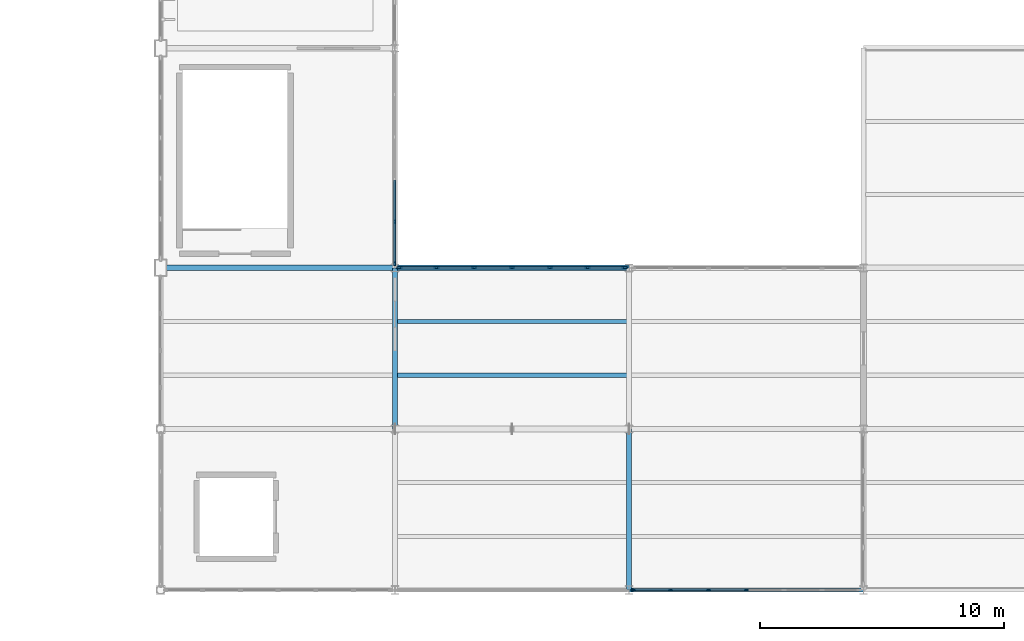
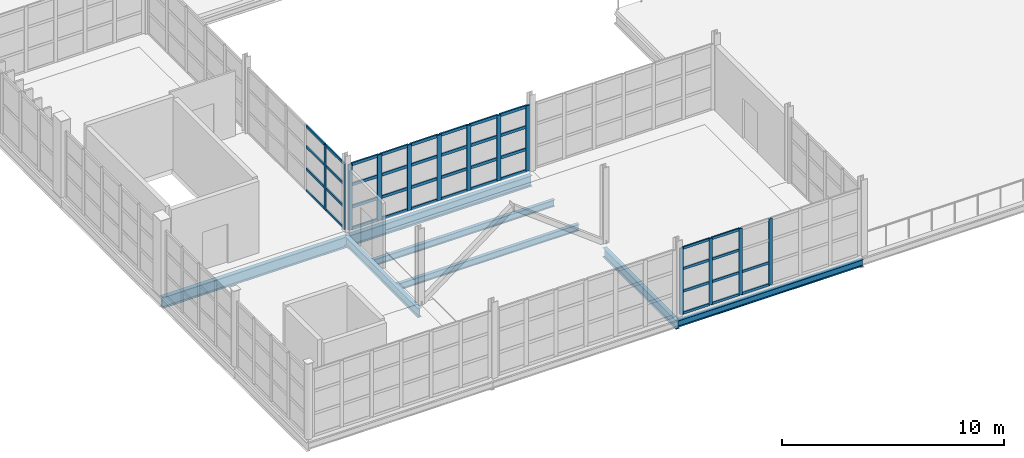
# One storey, part 43 of 82: 55 members, 7 beams, 3 elements without a shape of their own.
"""IFC4 building model written with IfcOpenShell, lengths in metres."""

from ifc_helpers import new_model, si_unit, direction, frame, origin, origin_2d, place, context, subcontext, project, spatial, rectangle, i_section, extrude, material, layer, layer_set, material_profile, profile_set, type_object, element, aggregate, save


model = new_model("IFC4")

# Units and contexts
model_context = context("Model", 3, precision=1e-05, world=origin(), true_north=direction((0.0, 1.0)))
body_context = subcontext(model_context, "Body", "Model", "MODEL_VIEW")
ifc_project = project(units=[si_unit("LENGTHUNIT", "METRE"), si_unit("AREAUNIT", "SQUARE_METRE"), si_unit("VOLUMEUNIT", "CUBIC_METRE"), si_unit("PLANEANGLEUNIT", "RADIAN"), si_unit("MASSUNIT", "GRAM", prefix="KILO")], contexts=[model_context])

# Site, building, storey
site_placement = place(None, origin())
site = spatial("IfcSite", under=ifc_project, at=site_placement, CompositionType="ELEMENT")
building_placement = place(site_placement, origin())
building = spatial("IfcBuilding", under=site, at=building_placement, Name="Zarnetskaya Central Station", CompositionType="ELEMENT")
storey_placement = place(building_placement, frame((0.0, 0.0, 10.199951171875)))
storey = spatial("IfcBuildingStorey", under=building, at=storey_placement, Name="L02", CompositionType="ELEMENT", Elevation=10.199951171875)

# Beams
ifc_material_1 = material(Name="Steel S355", Category="steel")
ifc_material_profile_1 = material_profile(ifc_material_1, i_section(OverallWidth=0.169921875, OverallDepth=0.360107421875, WebThickness=0.008056640625, FlangeThickness=0.0126953125, FilletRadius=0.01806640625, at=origin_2d()), Name="IPE 360")
ifc_profile_set_1 = profile_set([ifc_material_profile_1], Name="Steel S355")
beam_type_1 = type_object("IfcBeamType", Name="BM-SEC-360", PredefinedType="BEAM", material=ifc_profile_set_1)
for number, where, z_axis, x_axis, name in (
    (1, (134.47998046875, 8.800048828125, -0.43994140625), (1.0, 0.0, 0.0), (0.0, 1.0, 0.0), "Secondary floor beam SEC-L02-Z994-QR-23-1"),
    (2, (134.47998046875, 11.0, -0.43994140625), (1.0, 0.0, 0.0), (0.0, 1.0, 0.0), "Secondary floor beam SEC-L02-Z994-QR-23-2"),
):
    element("IfcBeam", number, at=place(storey_placement, frame(where, z_axis=z_axis, x_axis=x_axis)), inside=storey, type_object=beam_type_1, Name=name, PredefinedType="BEAM", context=body_context, shape_type="SweptSolid", body=[
        extrude(i_section(OverallWidth=0.169921875, OverallDepth=0.360107421875, WebThickness=0.008056640625, FlangeThickness=0.0126953125, FilletRadius=0.01806640625, at=origin_2d()), origin(), (0.0, 0.0, 1.0), 9.43994140625),
    ])
ifc_material_profile_2 = material_profile(ifc_material_1, i_section(OverallWidth=0.169921875, OverallDepth=0.360107421875, WebThickness=0.008056640625, FlangeThickness=0.0126953125, FilletRadius=0.01806640625, at=origin_2d()), Name="IPE 360")
ifc_profile_set_2 = profile_set([ifc_material_profile_2], Name="Steel S355")
beam_type_2 = type_object("IfcBeamType", Name="BM-SPN-V4", PredefinedType="SPANDREL", material=ifc_profile_set_2)
beam_1_placement = place(storey_placement, frame((144.0, 0.0, -0.43994140625), z_axis=(1.0, 0.0, 0.0), x_axis=(0.0, 1.0, 0.0)))
element("IfcBeam", 3, at=beam_1_placement, inside=storey, type_object=beam_type_2, Name="Grid girder GX-L02-1-RS", PredefinedType="SPANDREL", context=body_context, shape_type="SweptSolid", body=[
    extrude(i_section(OverallWidth=0.169921875, OverallDepth=0.360107421875, WebThickness=0.008056640625, FlangeThickness=0.0126953125, FilletRadius=0.01806640625, at=origin_2d()), origin(), (0.0, 0.0, 1.0), 9.60009765625),
])

# Curtain wall, members
ifc_material_2 = material(Name="Low-E insulated glass", Category="glass")
ifc_layer = layer(ifc_material_2, 0.1640625, Name="Low-E insulated glass", Category="glass")
ifc_layer_set = layer_set([ifc_layer], Name="Low-E insulated glass")
curtain_wall_type = type_object("IfcCurtainWallType", Name="CW-SYS-07", PredefinedType="USERDEFINED", material=ifc_layer_set)
curtain_wall_1_placement = place(storey_placement, origin())
curtain_wall_1 = element("IfcCurtainWall", 4, at=curtain_wall_1_placement, inside=storey, type_object=curtain_wall_type, Name="Curtain wall CW-L02-139", ObjectType="CURTAIN WALL", PredefinedType="USERDEFINED")
ifc_material_3 = material(Name="Anodised aluminium", Category="aluminium")
ifc_material_profile_3 = material_profile(ifc_material_3, rectangle(XDim=0.070068359375, YDim=0.179931640625, at=origin_2d()), Name="ALU MULL 70x180")
ifc_profile_set_3 = profile_set([ifc_material_profile_3], Name="Anodised aluminium")
member_type_1 = type_object("IfcMemberType", Name="CW-MULL-180", PredefinedType="MULLION", material=ifc_profile_set_3)
member_1_placement = place(storey_placement, frame((134.39990234375, 15.090087890625, 0.0), z_axis=(0.0, 0.0, 1.0), x_axis=(1.0, 0.0, 0.0)))
member_1 = element("IfcMember", 5, at=member_1_placement, type_object=member_type_1, Name="CW-06 mullion 5", PredefinedType="MULLION", context=body_context, shape_type="SweptSolid", body=[
    extrude(rectangle(XDim=0.070068359375, YDim=0.179931640625, at=origin_2d()), origin(), (0.0, 0.0, 1.0), 3.60009765625),
])
member_2_placement = place(storey_placement, frame((134.39990234375, 13.385009765625, 0.0), z_axis=(0.0, 0.0, 1.0), x_axis=(1.0, 0.0, 0.0)))
member_2 = element("IfcMember", 6, at=member_2_placement, type_object=member_type_1, Name="CW-06 mullion 6", PredefinedType="MULLION", context=body_context, shape_type="SweptSolid", body=[
    extrude(rectangle(XDim=0.070068359375, YDim=0.179931640625, at=origin_2d()), origin(), (0.0, 0.0, 1.0), 3.60009765625),
])

curtain_wall_2_placement = place(storey_placement, origin())
curtain_wall_2 = element("IfcCurtainWall", 7, at=curtain_wall_2_placement, inside=storey, type_object=curtain_wall_type, Name="Curtain wall CW-L02-143", ObjectType="CURTAIN WALL", PredefinedType="USERDEFINED")
member_3_placement = place(storey_placement, frame((148.800048828125, 0.0, 0.0), z_axis=(0.0, 0.0, 1.0), x_axis=(0.0, -1.0, 0.0)))
member_3 = element("IfcMember", 8, at=member_3_placement, type_object=member_type_1, Name="CW-06 mullion 4", PredefinedType="MULLION", context=body_context, shape_type="SweptSolid", body=[
    extrude(rectangle(XDim=0.070068359375, YDim=0.179931640625, at=origin_2d()), origin(), (0.0, 0.0, 1.0), 3.64013671875),
])
member_4_placement = place(storey_placement, frame((147.25, 0.0, 0.0), z_axis=(0.0, 0.0, 1.0), x_axis=(0.0, -1.0, 0.0)))
member_4 = element("IfcMember", 9, at=member_4_placement, type_object=member_type_1, Name="CW-06 mullion 5", PredefinedType="MULLION", context=body_context, shape_type="SweptSolid", body=[
    extrude(rectangle(XDim=0.070068359375, YDim=0.179931640625, at=origin_2d()), origin(), (0.0, 0.0, 1.0), 3.64013671875),
])
member_5_placement = place(storey_placement, frame((145.699951171875, 0.0, 0.0), z_axis=(0.0, 0.0, 1.0), x_axis=(0.0, -1.0, 0.0)))
member_5 = element("IfcMember", 10, at=member_5_placement, type_object=member_type_1, Name="CW-06 mullion 6", PredefinedType="MULLION", context=body_context, shape_type="SweptSolid", body=[
    extrude(rectangle(XDim=0.070068359375, YDim=0.179931640625, at=origin_2d()), origin(), (0.0, 0.0, 1.0), 3.64013671875),
])
member_6_placement = place(storey_placement, frame((144.18505859375, 0.0, 0.0), z_axis=(0.0, 0.0, 1.0), x_axis=(0.0, -1.0, 0.0)))
member_6 = element("IfcMember", 11, at=member_6_placement, type_object=member_type_1, Name="CW-06 mullion 7", PredefinedType="MULLION", context=body_context, shape_type="SweptSolid", body=[
    extrude(rectangle(XDim=0.070068359375, YDim=0.179931640625, at=origin_2d()), origin(), (0.0, 0.0, 1.0), 3.64013671875),
])

curtain_wall_3_placement = place(storey_placement, origin())
curtain_wall_3 = element("IfcCurtainWall", 12, at=curtain_wall_3_placement, inside=storey, type_object=curtain_wall_type, Name="Curtain wall CW-L02-140", ObjectType="CURTAIN WALL", PredefinedType="USERDEFINED")
ifc_material_profile_4 = material_profile(ifc_material_3, rectangle(XDim=0.080078125, YDim=0.219970703125, at=origin_2d()), Name="ALU MULL 80x220")
ifc_profile_set_4 = profile_set([ifc_material_profile_4], Name="Anodised aluminium")
member_type_2 = type_object("IfcMemberType", Name="CW-MULL-220", PredefinedType="MULLION", material=ifc_profile_set_4)
member_7_placement = place(storey_placement, frame((134.590087890625, 13.199951171875, 0.0), z_axis=(0.0, 0.0, 1.0), x_axis=(0.0, 1.0, 0.0)))
member_7 = element("IfcMember", 13, at=member_7_placement, type_object=member_type_2, Name="CW-06 mullion 1", PredefinedType="MULLION", context=body_context, shape_type="SweptSolid", body=[
    extrude(rectangle(XDim=0.080078125, YDim=0.219970703125, at=origin_2d()), origin(), (0.0, 0.0, 1.0), 3.60009765625),
])
member_8_placement = place(storey_placement, frame((136.10009765625, 13.199951171875, 0.0), z_axis=(0.0, 0.0, 1.0), x_axis=(0.0, 1.0, 0.0)))
member_8 = element("IfcMember", 14, at=member_8_placement, type_object=member_type_2, Name="CW-06 mullion 2", PredefinedType="MULLION", context=body_context, shape_type="SweptSolid", body=[
    extrude(rectangle(XDim=0.080078125, YDim=0.219970703125, at=origin_2d()), origin(), (0.0, 0.0, 1.0), 3.60009765625),
])
member_9_placement = place(storey_placement, frame((137.64990234375, 13.199951171875, 0.0), z_axis=(0.0, 0.0, 1.0), x_axis=(0.0, 1.0, 0.0)))
member_9 = element("IfcMember", 15, at=member_9_placement, type_object=member_type_2, Name="CW-06 mullion 3", PredefinedType="MULLION", context=body_context, shape_type="SweptSolid", body=[
    extrude(rectangle(XDim=0.080078125, YDim=0.219970703125, at=origin_2d()), origin(), (0.0, 0.0, 1.0), 3.60009765625),
])
member_10_placement = place(storey_placement, frame((139.199951171875, 13.199951171875, 0.0), z_axis=(0.0, 0.0, 1.0), x_axis=(0.0, 1.0, 0.0)))
member_10 = element("IfcMember", 16, at=member_10_placement, type_object=member_type_2, Name="CW-06 mullion 4", PredefinedType="MULLION", context=body_context, shape_type="SweptSolid", body=[
    extrude(rectangle(XDim=0.080078125, YDim=0.219970703125, at=origin_2d()), origin(), (0.0, 0.0, 1.0), 3.60009765625),
])
member_11_placement = place(storey_placement, frame((140.75, 13.199951171875, 0.0), z_axis=(0.0, 0.0, 1.0), x_axis=(0.0, 1.0, 0.0)))
member_11 = element("IfcMember", 17, at=member_11_placement, type_object=member_type_2, Name="CW-06 mullion 5", PredefinedType="MULLION", context=body_context, shape_type="SweptSolid", body=[
    extrude(rectangle(XDim=0.080078125, YDim=0.219970703125, at=origin_2d()), origin(), (0.0, 0.0, 1.0), 3.60009765625),
])
member_12_placement = place(storey_placement, frame((142.300048828125, 13.199951171875, 0.0), z_axis=(0.0, 0.0, 1.0), x_axis=(0.0, 1.0, 0.0)))
member_12 = element("IfcMember", 18, at=member_12_placement, type_object=member_type_2, Name="CW-06 mullion 6", PredefinedType="MULLION", context=body_context, shape_type="SweptSolid", body=[
    extrude(rectangle(XDim=0.080078125, YDim=0.219970703125, at=origin_2d()), origin(), (0.0, 0.0, 1.0), 3.60009765625),
])
member_13_placement = place(storey_placement, frame((143.81005859375, 13.199951171875, 0.0), z_axis=(0.0, 0.0, 1.0), x_axis=(0.0, 1.0, 0.0)))
member_13 = element("IfcMember", 19, at=member_13_placement, type_object=member_type_2, Name="CW-06 mullion 7", PredefinedType="MULLION", context=body_context, shape_type="SweptSolid", body=[
    extrude(rectangle(XDim=0.080078125, YDim=0.219970703125, at=origin_2d()), origin(), (0.0, 0.0, 1.0), 3.60009765625),
])

# Member
ifc_material_profile_5 = material_profile(ifc_material_3, rectangle(XDim=0.070068359375, YDim=0.139892578125, at=origin_2d()), Name="ALU TRAN 70x140")
ifc_profile_set_5 = profile_set([ifc_material_profile_5], Name="Anodised aluminium")
member_type_3 = type_object("IfcMemberType", Name="CW-TRAN-140", PredefinedType="USERDEFINED", material=ifc_profile_set_5)
member_14_placement = place(storey_placement, frame((134.39990234375, 16.794921875, 0.03515625), z_axis=(0.0, -1.0, 0.0), x_axis=(1.0, 0.0, 0.0)))
member_14 = element("IfcMember", 20, at=member_14_placement, type_object=member_type_3, Name="CW-06 transom 4.1", ObjectType="TRANSOM", PredefinedType="USERDEFINED", context=body_context, shape_type="SweptSolid", body=[
    extrude(rectangle(XDim=0.070068359375, YDim=0.139892578125, at=origin_2d()), origin(), (0.0, 0.0, 1.0), 1.669921875),
])

member_15_placement = place(storey_placement, frame((134.39990234375, 16.794921875, 1.22412109375), z_axis=(0.0, -1.0, 0.0), x_axis=(1.0, 0.0, 0.0)))
member_15 = element("IfcMember", 21, at=member_15_placement, type_object=member_type_3, Name="CW-06 transom 4.2", ObjectType="TRANSOM", PredefinedType="USERDEFINED", context=body_context, shape_type="SweptSolid", body=[
    extrude(rectangle(XDim=0.070068359375, YDim=0.139892578125, at=origin_2d()), origin(), (0.0, 0.0, 1.0), 1.669921875),
])

member_16_placement = place(storey_placement, frame((134.39990234375, 16.794921875, 2.447998046875), z_axis=(0.0, -1.0, 0.0), x_axis=(1.0, 0.0, 0.0)))
member_16 = element("IfcMember", 22, at=member_16_placement, type_object=member_type_3, Name="CW-06 transom 4.3", ObjectType="TRANSOM", PredefinedType="USERDEFINED", context=body_context, shape_type="SweptSolid", body=[
    extrude(rectangle(XDim=0.070068359375, YDim=0.139892578125, at=origin_2d()), origin(), (0.0, 0.0, 1.0), 1.669921875),
])

member_17_placement = place(storey_placement, frame((134.39990234375, 16.794921875, 3.56494140625), z_axis=(0.0, -1.0, 0.0), x_axis=(1.0, 0.0, 0.0)))
member_17 = element("IfcMember", 23, at=member_17_placement, type_object=member_type_3, Name="CW-06 transom 4.4", ObjectType="TRANSOM", PredefinedType="USERDEFINED", context=body_context, shape_type="SweptSolid", body=[
    extrude(rectangle(XDim=0.070068359375, YDim=0.139892578125, at=origin_2d()), origin(), (0.0, 0.0, 1.0), 1.669921875),
])

member_18_placement = place(storey_placement, frame((134.39990234375, 15.054931640625, 0.03515625), z_axis=(0.0, -1.0, 0.0), x_axis=(1.0, 0.0, 0.0)))
member_18 = element("IfcMember", 24, at=member_18_placement, type_object=member_type_3, Name="CW-06 transom 5.1", ObjectType="TRANSOM", PredefinedType="USERDEFINED", context=body_context, shape_type="SweptSolid", body=[
    extrude(rectangle(XDim=0.070068359375, YDim=0.139892578125, at=origin_2d()), origin(), (0.0, 0.0, 1.0), 1.635009765625),
])

member_19_placement = place(storey_placement, frame((134.39990234375, 15.054931640625, 1.22412109375), z_axis=(0.0, -1.0, 0.0), x_axis=(1.0, 0.0, 0.0)))
member_19 = element("IfcMember", 25, at=member_19_placement, type_object=member_type_3, Name="CW-06 transom 5.2", ObjectType="TRANSOM", PredefinedType="USERDEFINED", context=body_context, shape_type="SweptSolid", body=[
    extrude(rectangle(XDim=0.070068359375, YDim=0.139892578125, at=origin_2d()), origin(), (0.0, 0.0, 1.0), 1.635009765625),
])

member_20_placement = place(storey_placement, frame((134.39990234375, 15.054931640625, 2.447998046875), z_axis=(0.0, -1.0, 0.0), x_axis=(1.0, 0.0, 0.0)))
member_20 = element("IfcMember", 26, at=member_20_placement, type_object=member_type_3, Name="CW-06 transom 5.3", ObjectType="TRANSOM", PredefinedType="USERDEFINED", context=body_context, shape_type="SweptSolid", body=[
    extrude(rectangle(XDim=0.070068359375, YDim=0.139892578125, at=origin_2d()), origin(), (0.0, 0.0, 1.0), 1.635009765625),
])

member_21_placement = place(storey_placement, frame((134.39990234375, 15.054931640625, 3.56494140625), z_axis=(0.0, -1.0, 0.0), x_axis=(1.0, 0.0, 0.0)))
member_21 = element("IfcMember", 27, at=member_21_placement, type_object=member_type_3, Name="CW-06 transom 5.4", ObjectType="TRANSOM", PredefinedType="USERDEFINED", context=body_context, shape_type="SweptSolid", body=[
    extrude(rectangle(XDim=0.070068359375, YDim=0.139892578125, at=origin_2d()), origin(), (0.0, 0.0, 1.0), 1.635009765625),
])

aggregate(curtain_wall_1, [member_1, member_2, member_14, member_15, member_16, member_17, member_18, member_19, member_20, member_21])

member_22_placement = place(storey_placement, frame((148.764892578125, 0.0, 0.03515625), z_axis=(-1.0, 0.0, 0.0), x_axis=(0.0, -1.0, 0.0)))
member_22 = element("IfcMember", 28, at=member_22_placement, type_object=member_type_3, Name="CW-06 transom 4.1", ObjectType="TRANSOM", PredefinedType="USERDEFINED", context=body_context, shape_type="SweptSolid", body=[
    extrude(rectangle(XDim=0.070068359375, YDim=0.139892578125, at=origin_2d()), origin(), (0.0, 0.0, 1.0), 1.47998046875),
])

member_23_placement = place(storey_placement, frame((148.764892578125, 0.0, 1.238037109375), z_axis=(-1.0, 0.0, 0.0), x_axis=(0.0, -1.0, 0.0)))
member_23 = element("IfcMember", 29, at=member_23_placement, type_object=member_type_3, Name="CW-06 transom 4.2", ObjectType="TRANSOM", PredefinedType="USERDEFINED", context=body_context, shape_type="SweptSolid", body=[
    extrude(rectangle(XDim=0.070068359375, YDim=0.139892578125, at=origin_2d()), origin(), (0.0, 0.0, 1.0), 1.47998046875),
])

member_24_placement = place(storey_placement, frame((147.215087890625, 0.0, 0.03515625), z_axis=(-1.0, 0.0, 0.0), x_axis=(0.0, -1.0, 0.0)))
member_24 = element("IfcMember", 30, at=member_24_placement, type_object=member_type_3, Name="CW-06 transom 5.1", ObjectType="TRANSOM", PredefinedType="USERDEFINED", context=body_context, shape_type="SweptSolid", body=[
    extrude(rectangle(XDim=0.070068359375, YDim=0.139892578125, at=origin_2d()), origin(), (0.0, 0.0, 1.0), 1.47998046875),
])

member_25_placement = place(storey_placement, frame((147.215087890625, 0.0, 1.238037109375), z_axis=(-1.0, 0.0, 0.0), x_axis=(0.0, -1.0, 0.0)))
member_25 = element("IfcMember", 31, at=member_25_placement, type_object=member_type_3, Name="CW-06 transom 5.2", ObjectType="TRANSOM", PredefinedType="USERDEFINED", context=body_context, shape_type="SweptSolid", body=[
    extrude(rectangle(XDim=0.070068359375, YDim=0.139892578125, at=origin_2d()), origin(), (0.0, 0.0, 1.0), 1.47998046875),
])

member_26_placement = place(storey_placement, frame((147.215087890625, 0.0, 2.47509765625), z_axis=(-1.0, 0.0, 0.0), x_axis=(0.0, -1.0, 0.0)))
member_26 = element("IfcMember", 32, at=member_26_placement, type_object=member_type_3, Name="CW-06 transom 5.3", ObjectType="TRANSOM", PredefinedType="USERDEFINED", context=body_context, shape_type="SweptSolid", body=[
    extrude(rectangle(XDim=0.070068359375, YDim=0.139892578125, at=origin_2d()), origin(), (0.0, 0.0, 1.0), 1.47998046875),
])

member_27_placement = place(storey_placement, frame((147.215087890625, 0.0, 3.60498046875), z_axis=(-1.0, 0.0, 0.0), x_axis=(0.0, -1.0, 0.0)))
member_27 = element("IfcMember", 33, at=member_27_placement, type_object=member_type_3, Name="CW-06 transom 5.4", ObjectType="TRANSOM", PredefinedType="USERDEFINED", context=body_context, shape_type="SweptSolid", body=[
    extrude(rectangle(XDim=0.070068359375, YDim=0.139892578125, at=origin_2d()), origin(), (0.0, 0.0, 1.0), 1.47998046875),
])

member_28_placement = place(storey_placement, frame((145.6650390625, 0.0, 0.03515625), z_axis=(-1.0, 0.0, 0.0), x_axis=(0.0, -1.0, 0.0)))
member_28 = element("IfcMember", 34, at=member_28_placement, type_object=member_type_3, Name="CW-06 transom 6.1", ObjectType="TRANSOM", PredefinedType="USERDEFINED", context=body_context, shape_type="SweptSolid", body=[
    extrude(rectangle(XDim=0.070068359375, YDim=0.139892578125, at=origin_2d()), origin(), (0.0, 0.0, 1.0), 1.445068359375),
])

member_29_placement = place(storey_placement, frame((145.6650390625, 0.0, 1.238037109375), z_axis=(-1.0, 0.0, 0.0), x_axis=(0.0, -1.0, 0.0)))
member_29 = element("IfcMember", 35, at=member_29_placement, type_object=member_type_3, Name="CW-06 transom 6.2", ObjectType="TRANSOM", PredefinedType="USERDEFINED", context=body_context, shape_type="SweptSolid", body=[
    extrude(rectangle(XDim=0.070068359375, YDim=0.139892578125, at=origin_2d()), origin(), (0.0, 0.0, 1.0), 1.445068359375),
])

member_30_placement = place(storey_placement, frame((145.6650390625, 0.0, 2.47509765625), z_axis=(-1.0, 0.0, 0.0), x_axis=(0.0, -1.0, 0.0)))
member_30 = element("IfcMember", 36, at=member_30_placement, type_object=member_type_3, Name="CW-06 transom 6.3", ObjectType="TRANSOM", PredefinedType="USERDEFINED", context=body_context, shape_type="SweptSolid", body=[
    extrude(rectangle(XDim=0.070068359375, YDim=0.139892578125, at=origin_2d()), origin(), (0.0, 0.0, 1.0), 1.445068359375),
])

member_31_placement = place(storey_placement, frame((145.6650390625, 0.0, 3.60498046875), z_axis=(-1.0, 0.0, 0.0), x_axis=(0.0, -1.0, 0.0)))
member_31 = element("IfcMember", 37, at=member_31_placement, type_object=member_type_3, Name="CW-06 transom 6.4", ObjectType="TRANSOM", PredefinedType="USERDEFINED", context=body_context, shape_type="SweptSolid", body=[
    extrude(rectangle(XDim=0.070068359375, YDim=0.139892578125, at=origin_2d()), origin(), (0.0, 0.0, 1.0), 1.445068359375),
])

aggregate(curtain_wall_2, [member_3, member_4, member_5, member_6, member_22, member_23, member_24, member_25, member_26, member_27, member_28, member_29, member_30, member_31])

ifc_material_profile_6 = material_profile(ifc_material_3, rectangle(XDim=0.080078125, YDim=0.159912109375, at=origin_2d()), Name="ALU TRAN 80x160")
ifc_profile_set_6 = profile_set([ifc_material_profile_6], Name="Anodised aluminium")
member_type_4 = type_object("IfcMemberType", Name="CW-TRAN-160", PredefinedType="USERDEFINED", material=ifc_profile_set_6)
member_32_placement = place(storey_placement, frame((134.6298828125, 13.199951171875, 0.0400390625), z_axis=(1.0, 0.0, 0.0), x_axis=(0.0, 1.0, 0.0)))
member_32 = element("IfcMember", 38, at=member_32_placement, type_object=member_type_4, Name="CW-06 transom 1.1", ObjectType="TRANSOM", PredefinedType="USERDEFINED", context=body_context, shape_type="SweptSolid", body=[
    extrude(rectangle(XDim=0.080078125, YDim=0.159912109375, at=origin_2d()), origin(), (0.0, 0.0, 1.0), 1.43017578125),
])

member_33_placement = place(storey_placement, frame((134.6298828125, 13.199951171875, 1.22412109375), z_axis=(1.0, 0.0, 0.0), x_axis=(0.0, 1.0, 0.0)))
member_33 = element("IfcMember", 39, at=member_33_placement, type_object=member_type_4, Name="CW-06 transom 1.2", ObjectType="TRANSOM", PredefinedType="USERDEFINED", context=body_context, shape_type="SweptSolid", body=[
    extrude(rectangle(XDim=0.080078125, YDim=0.159912109375, at=origin_2d()), origin(), (0.0, 0.0, 1.0), 1.43017578125),
])

member_34_placement = place(storey_placement, frame((134.6298828125, 13.199951171875, 2.447998046875), z_axis=(1.0, 0.0, 0.0), x_axis=(0.0, 1.0, 0.0)))
member_34 = element("IfcMember", 40, at=member_34_placement, type_object=member_type_4, Name="CW-06 transom 1.3", ObjectType="TRANSOM", PredefinedType="USERDEFINED", context=body_context, shape_type="SweptSolid", body=[
    extrude(rectangle(XDim=0.080078125, YDim=0.159912109375, at=origin_2d()), origin(), (0.0, 0.0, 1.0), 1.43017578125),
])

member_35_placement = place(storey_placement, frame((134.6298828125, 13.199951171875, 3.56005859375), z_axis=(1.0, 0.0, 0.0), x_axis=(0.0, 1.0, 0.0)))
member_35 = element("IfcMember", 41, at=member_35_placement, type_object=member_type_4, Name="CW-06 transom 1.4", ObjectType="TRANSOM", PredefinedType="USERDEFINED", context=body_context, shape_type="SweptSolid", body=[
    extrude(rectangle(XDim=0.080078125, YDim=0.159912109375, at=origin_2d()), origin(), (0.0, 0.0, 1.0), 1.43017578125),
])

member_36_placement = place(storey_placement, frame((136.139892578125, 13.199951171875, 0.0400390625), z_axis=(1.0, 0.0, 0.0), x_axis=(0.0, 1.0, 0.0)))
member_36 = element("IfcMember", 42, at=member_36_placement, type_object=member_type_4, Name="CW-06 transom 2.1", ObjectType="TRANSOM", PredefinedType="USERDEFINED", context=body_context, shape_type="SweptSolid", body=[
    extrude(rectangle(XDim=0.080078125, YDim=0.159912109375, at=origin_2d()), origin(), (0.0, 0.0, 1.0), 1.47021484375),
])

member_37_placement = place(storey_placement, frame((136.139892578125, 13.199951171875, 1.22412109375), z_axis=(1.0, 0.0, 0.0), x_axis=(0.0, 1.0, 0.0)))
member_37 = element("IfcMember", 43, at=member_37_placement, type_object=member_type_4, Name="CW-06 transom 2.2", ObjectType="TRANSOM", PredefinedType="USERDEFINED", context=body_context, shape_type="SweptSolid", body=[
    extrude(rectangle(XDim=0.080078125, YDim=0.159912109375, at=origin_2d()), origin(), (0.0, 0.0, 1.0), 1.47021484375),
])

member_38_placement = place(storey_placement, frame((136.139892578125, 13.199951171875, 2.447998046875), z_axis=(1.0, 0.0, 0.0), x_axis=(0.0, 1.0, 0.0)))
member_38 = element("IfcMember", 44, at=member_38_placement, type_object=member_type_4, Name="CW-06 transom 2.3", ObjectType="TRANSOM", PredefinedType="USERDEFINED", context=body_context, shape_type="SweptSolid", body=[
    extrude(rectangle(XDim=0.080078125, YDim=0.159912109375, at=origin_2d()), origin(), (0.0, 0.0, 1.0), 1.47021484375),
])

member_39_placement = place(storey_placement, frame((136.139892578125, 13.199951171875, 3.56005859375), z_axis=(1.0, 0.0, 0.0), x_axis=(0.0, 1.0, 0.0)))
member_39 = element("IfcMember", 45, at=member_39_placement, type_object=member_type_4, Name="CW-06 transom 2.4", ObjectType="TRANSOM", PredefinedType="USERDEFINED", context=body_context, shape_type="SweptSolid", body=[
    extrude(rectangle(XDim=0.080078125, YDim=0.159912109375, at=origin_2d()), origin(), (0.0, 0.0, 1.0), 1.47021484375),
])

member_40_placement = place(storey_placement, frame((137.68994140625, 13.199951171875, 0.0400390625), z_axis=(1.0, 0.0, 0.0), x_axis=(0.0, 1.0, 0.0)))
member_40 = element("IfcMember", 46, at=member_40_placement, type_object=member_type_4, Name="CW-06 transom 3.1", ObjectType="TRANSOM", PredefinedType="USERDEFINED", context=body_context, shape_type="SweptSolid", body=[
    extrude(rectangle(XDim=0.080078125, YDim=0.159912109375, at=origin_2d()), origin(), (0.0, 0.0, 1.0), 1.469970703125),
])

member_41_placement = place(storey_placement, frame((137.68994140625, 13.199951171875, 1.22412109375), z_axis=(1.0, 0.0, 0.0), x_axis=(0.0, 1.0, 0.0)))
member_41 = element("IfcMember", 47, at=member_41_placement, type_object=member_type_4, Name="CW-06 transom 3.2", ObjectType="TRANSOM", PredefinedType="USERDEFINED", context=body_context, shape_type="SweptSolid", body=[
    extrude(rectangle(XDim=0.080078125, YDim=0.159912109375, at=origin_2d()), origin(), (0.0, 0.0, 1.0), 1.469970703125),
])

member_42_placement = place(storey_placement, frame((137.68994140625, 13.199951171875, 2.447998046875), z_axis=(1.0, 0.0, 0.0), x_axis=(0.0, 1.0, 0.0)))
member_42 = element("IfcMember", 48, at=member_42_placement, type_object=member_type_4, Name="CW-06 transom 3.3", ObjectType="TRANSOM", PredefinedType="USERDEFINED", context=body_context, shape_type="SweptSolid", body=[
    extrude(rectangle(XDim=0.080078125, YDim=0.159912109375, at=origin_2d()), origin(), (0.0, 0.0, 1.0), 1.469970703125),
])

member_43_placement = place(storey_placement, frame((137.68994140625, 13.199951171875, 3.56005859375), z_axis=(1.0, 0.0, 0.0), x_axis=(0.0, 1.0, 0.0)))
member_43 = element("IfcMember", 49, at=member_43_placement, type_object=member_type_4, Name="CW-06 transom 3.4", ObjectType="TRANSOM", PredefinedType="USERDEFINED", context=body_context, shape_type="SweptSolid", body=[
    extrude(rectangle(XDim=0.080078125, YDim=0.159912109375, at=origin_2d()), origin(), (0.0, 0.0, 1.0), 1.469970703125),
])

member_44_placement = place(storey_placement, frame((139.239990234375, 13.199951171875, 0.0400390625), z_axis=(1.0, 0.0, 0.0), x_axis=(0.0, 1.0, 0.0)))
member_44 = element("IfcMember", 50, at=member_44_placement, type_object=member_type_4, Name="CW-06 transom 4.1", ObjectType="TRANSOM", PredefinedType="USERDEFINED", context=body_context, shape_type="SweptSolid", body=[
    extrude(rectangle(XDim=0.080078125, YDim=0.159912109375, at=origin_2d()), origin(), (0.0, 0.0, 1.0), 1.469970703125),
])

member_45_placement = place(storey_placement, frame((139.239990234375, 13.199951171875, 1.22412109375), z_axis=(1.0, 0.0, 0.0), x_axis=(0.0, 1.0, 0.0)))
member_45 = element("IfcMember", 51, at=member_45_placement, type_object=member_type_4, Name="CW-06 transom 4.2", ObjectType="TRANSOM", PredefinedType="USERDEFINED", context=body_context, shape_type="SweptSolid", body=[
    extrude(rectangle(XDim=0.080078125, YDim=0.159912109375, at=origin_2d()), origin(), (0.0, 0.0, 1.0), 1.469970703125),
])

member_46_placement = place(storey_placement, frame((139.239990234375, 13.199951171875, 2.447998046875), z_axis=(1.0, 0.0, 0.0), x_axis=(0.0, 1.0, 0.0)))
member_46 = element("IfcMember", 52, at=member_46_placement, type_object=member_type_4, Name="CW-06 transom 4.3", ObjectType="TRANSOM", PredefinedType="USERDEFINED", context=body_context, shape_type="SweptSolid", body=[
    extrude(rectangle(XDim=0.080078125, YDim=0.159912109375, at=origin_2d()), origin(), (0.0, 0.0, 1.0), 1.469970703125),
])

member_47_placement = place(storey_placement, frame((139.239990234375, 13.199951171875, 3.56005859375), z_axis=(1.0, 0.0, 0.0), x_axis=(0.0, 1.0, 0.0)))
member_47 = element("IfcMember", 53, at=member_47_placement, type_object=member_type_4, Name="CW-06 transom 4.4", ObjectType="TRANSOM", PredefinedType="USERDEFINED", context=body_context, shape_type="SweptSolid", body=[
    extrude(rectangle(XDim=0.080078125, YDim=0.159912109375, at=origin_2d()), origin(), (0.0, 0.0, 1.0), 1.469970703125),
])

member_48_placement = place(storey_placement, frame((140.7900390625, 13.199951171875, 0.0400390625), z_axis=(1.0, 0.0, 0.0), x_axis=(0.0, 1.0, 0.0)))
member_48 = element("IfcMember", 54, at=member_48_placement, type_object=member_type_4, Name="CW-06 transom 5.1", ObjectType="TRANSOM", PredefinedType="USERDEFINED", context=body_context, shape_type="SweptSolid", body=[
    extrude(rectangle(XDim=0.080078125, YDim=0.159912109375, at=origin_2d()), origin(), (0.0, 0.0, 1.0), 1.469970703125),
])

member_49_placement = place(storey_placement, frame((140.7900390625, 13.199951171875, 1.22412109375), z_axis=(1.0, 0.0, 0.0), x_axis=(0.0, 1.0, 0.0)))
member_49 = element("IfcMember", 55, at=member_49_placement, type_object=member_type_4, Name="CW-06 transom 5.2", ObjectType="TRANSOM", PredefinedType="USERDEFINED", context=body_context, shape_type="SweptSolid", body=[
    extrude(rectangle(XDim=0.080078125, YDim=0.159912109375, at=origin_2d()), origin(), (0.0, 0.0, 1.0), 1.469970703125),
])

member_50_placement = place(storey_placement, frame((140.7900390625, 13.199951171875, 2.447998046875), z_axis=(1.0, 0.0, 0.0), x_axis=(0.0, 1.0, 0.0)))
member_50 = element("IfcMember", 56, at=member_50_placement, type_object=member_type_4, Name="CW-06 transom 5.3", ObjectType="TRANSOM", PredefinedType="USERDEFINED", context=body_context, shape_type="SweptSolid", body=[
    extrude(rectangle(XDim=0.080078125, YDim=0.159912109375, at=origin_2d()), origin(), (0.0, 0.0, 1.0), 1.469970703125),
])

member_51_placement = place(storey_placement, frame((140.7900390625, 13.199951171875, 3.56005859375), z_axis=(1.0, 0.0, 0.0), x_axis=(0.0, 1.0, 0.0)))
member_51 = element("IfcMember", 57, at=member_51_placement, type_object=member_type_4, Name="CW-06 transom 5.4", ObjectType="TRANSOM", PredefinedType="USERDEFINED", context=body_context, shape_type="SweptSolid", body=[
    extrude(rectangle(XDim=0.080078125, YDim=0.159912109375, at=origin_2d()), origin(), (0.0, 0.0, 1.0), 1.469970703125),
])

member_52_placement = place(storey_placement, frame((142.340087890625, 13.199951171875, 0.0400390625), z_axis=(1.0, 0.0, 0.0), x_axis=(0.0, 1.0, 0.0)))
member_52 = element("IfcMember", 58, at=member_52_placement, type_object=member_type_4, Name="CW-06 transom 6.1", ObjectType="TRANSOM", PredefinedType="USERDEFINED", context=body_context, shape_type="SweptSolid", body=[
    extrude(rectangle(XDim=0.080078125, YDim=0.159912109375, at=origin_2d()), origin(), (0.0, 0.0, 1.0), 1.429931640625),
])

member_53_placement = place(storey_placement, frame((142.340087890625, 13.199951171875, 1.22412109375), z_axis=(1.0, 0.0, 0.0), x_axis=(0.0, 1.0, 0.0)))
member_53 = element("IfcMember", 59, at=member_53_placement, type_object=member_type_4, Name="CW-06 transom 6.2", ObjectType="TRANSOM", PredefinedType="USERDEFINED", context=body_context, shape_type="SweptSolid", body=[
    extrude(rectangle(XDim=0.080078125, YDim=0.159912109375, at=origin_2d()), origin(), (0.0, 0.0, 1.0), 1.429931640625),
])

member_54_placement = place(storey_placement, frame((142.340087890625, 13.199951171875, 2.447998046875), z_axis=(1.0, 0.0, 0.0), x_axis=(0.0, 1.0, 0.0)))
member_54 = element("IfcMember", 60, at=member_54_placement, type_object=member_type_4, Name="CW-06 transom 6.3", ObjectType="TRANSOM", PredefinedType="USERDEFINED", context=body_context, shape_type="SweptSolid", body=[
    extrude(rectangle(XDim=0.080078125, YDim=0.159912109375, at=origin_2d()), origin(), (0.0, 0.0, 1.0), 1.429931640625),
])

member_55_placement = place(storey_placement, frame((142.340087890625, 13.199951171875, 3.56005859375), z_axis=(1.0, 0.0, 0.0), x_axis=(0.0, 1.0, 0.0)))
member_55 = element("IfcMember", 61, at=member_55_placement, type_object=member_type_4, Name="CW-06 transom 6.4", ObjectType="TRANSOM", PredefinedType="USERDEFINED", context=body_context, shape_type="SweptSolid", body=[
    extrude(rectangle(XDim=0.080078125, YDim=0.159912109375, at=origin_2d()), origin(), (0.0, 0.0, 1.0), 1.429931640625),
])

aggregate(curtain_wall_3, [member_7, member_8, member_9, member_10, member_11, member_12, member_13, member_32, member_33, member_34, member_35, member_36, member_37, member_38, member_39, member_40, member_41, member_42, member_43, member_44, member_45, member_46, member_47, member_48, member_49, member_50, member_51, member_52, member_53, member_54, member_55])

# Beams
ifc_material_profile_7 = material_profile(ifc_material_1, i_section(OverallWidth=0.199951171875, OverallDepth=0.5, WebThickness=0.01025390625, FlangeThickness=0.01611328125, FilletRadius=0.02099609375, at=origin_2d()), Name="IPE 500")
ifc_profile_set_7 = profile_set([ifc_material_profile_7], Name="Steel S355")
beam_type_3 = type_object("IfcBeamType", Name="GD-FLR-500", PredefinedType="USERDEFINED", material=ifc_profile_set_7)
beam_2_placement = place(storey_placement, frame((134.39990234375, 6.60009765625, -0.510009765625), z_axis=(0.0, 1.0, 0.0), x_axis=(-1.0, 0.0, 0.0)))
element("IfcBeam", 62, at=beam_2_placement, inside=storey, type_object=beam_type_3, Name="Grid girder GY-L02-Q-23", ObjectType="GIRDER", PredefinedType="USERDEFINED", context=body_context, shape_type="SweptSolid", body=[
    extrude(i_section(OverallWidth=0.199951171875, OverallDepth=0.5, WebThickness=0.01025390625, FlangeThickness=0.01611328125, FilletRadius=0.02099609375, at=origin_2d()), origin(), (0.0, 0.0, 1.0), 6.599853515625),
])
beam_3_placement = place(storey_placement, frame((144.0, 0.0, -0.510009765625), z_axis=(0.0, 1.0, 0.0), x_axis=(-1.0, 0.0, 0.0)))
element("IfcBeam", 63, at=beam_3_placement, inside=storey, type_object=beam_type_3, Name="Grid girder GY-L02-R-12", ObjectType="GIRDER", PredefinedType="USERDEFINED", context=body_context, shape_type="SweptSolid", body=[
    extrude(i_section(OverallWidth=0.199951171875, OverallDepth=0.5, WebThickness=0.01025390625, FlangeThickness=0.01611328125, FilletRadius=0.02099609375, at=origin_2d()), origin(), (0.0, 0.0, 1.0), 6.60009765625),
])
ifc_material_profile_8 = material_profile(ifc_material_1, i_section(OverallWidth=0.219970703125, OverallDepth=0.60009765625, WebThickness=0.011962890625, FlangeThickness=0.01904296875, FilletRadius=0.02392578125, at=origin_2d()), Name="IPE 600")
ifc_profile_set_8 = profile_set([ifc_material_profile_8], Name="Steel S355")
beam_type_4 = type_object("IfcBeamType", Name="GD-FLR-600", PredefinedType="USERDEFINED", material=ifc_profile_set_8)
beam_4_placement = place(storey_placement, frame((124.800048828125, 13.199951171875, -0.56005859375), z_axis=(1.0, 0.0, 0.0), x_axis=(0.0, 1.0, 0.0)))
element("IfcBeam", 64, at=beam_4_placement, inside=storey, type_object=beam_type_4, Name="Grid girder GX-L02-3-PQ", ObjectType="GIRDER", PredefinedType="USERDEFINED", context=body_context, shape_type="SweptSolid", body=[
    extrude(i_section(OverallWidth=0.219970703125, OverallDepth=0.60009765625, WebThickness=0.011962890625, FlangeThickness=0.01904296875, FilletRadius=0.02392578125, at=origin_2d()), origin(), (0.0, 0.0, 1.0), 9.599853515625),
])
beam_5_placement = place(storey_placement, frame((134.39990234375, 13.199951171875, -0.56005859375), z_axis=(1.0, 0.0, 0.0), x_axis=(0.0, 1.0, 0.0)))
element("IfcBeam", 65, at=beam_5_placement, inside=storey, type_object=beam_type_4, Name="Grid girder GX-L02-3-QR", ObjectType="GIRDER", PredefinedType="USERDEFINED", context=body_context, shape_type="SweptSolid", body=[
    extrude(i_section(OverallWidth=0.219970703125, OverallDepth=0.60009765625, WebThickness=0.011962890625, FlangeThickness=0.01904296875, FilletRadius=0.02392578125, at=origin_2d()), origin(), (0.0, 0.0, 1.0), 9.60009765625),
])

save(model, "model.ifc")
